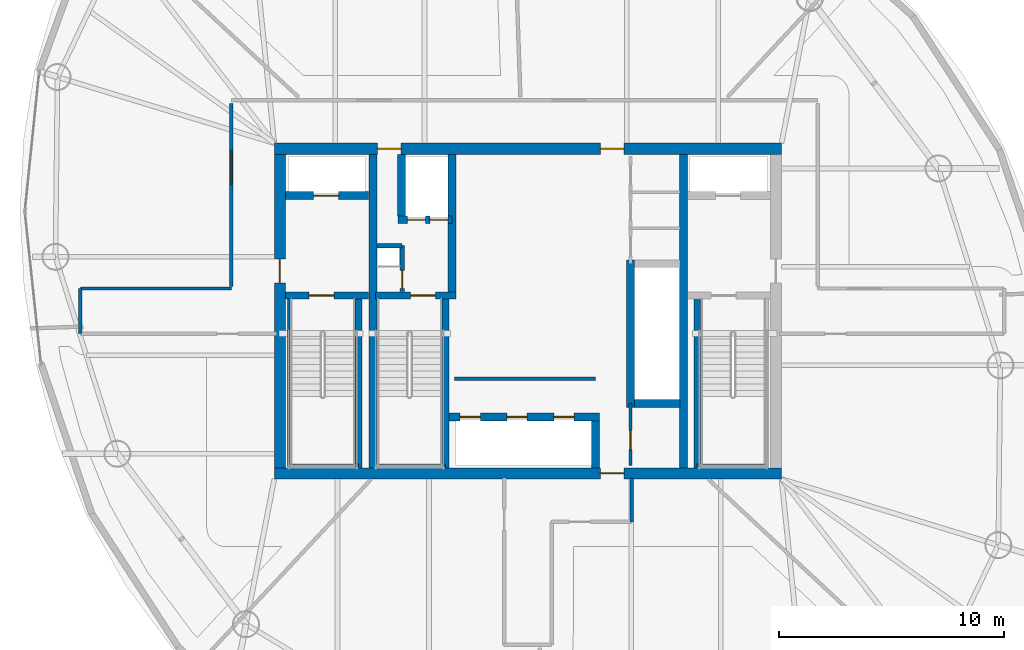
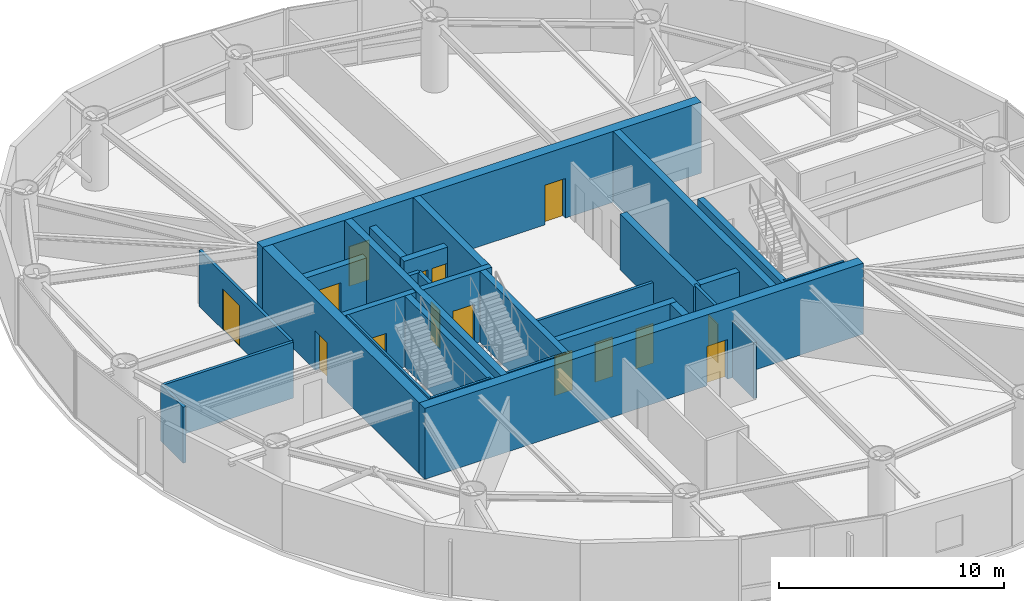
# One storey, part 15 of 20: 30 walls, 15 doors, 15 openings.
"""IFC4 building model written with IfcOpenShell, lengths in metres."""

from ifc_helpers import new_model, si_unit, direction, frame, frame_2d, origin, place, context, subcontext, project, spatial, rectangle, extrude, material, layer, layer_set, type_object, element, fill, save


model = new_model("IFC4")

# Units and contexts
model_context = context("Model", 3, precision=1e-05, world=origin(), true_north=direction((0.0, 1.0)))
body_context = subcontext(model_context, "Body", "Model", "MODEL_VIEW")
ifc_project = project(units=[si_unit("LENGTHUNIT", "METRE"), si_unit("AREAUNIT", "SQUARE_METRE"), si_unit("VOLUMEUNIT", "CUBIC_METRE"), si_unit("PLANEANGLEUNIT", "RADIAN"), si_unit("MASSUNIT", "GRAM", prefix="KILO")], contexts=[model_context])

# Site, building, storey
site_placement = place(None, origin())
site = spatial("IfcSite", under=ifc_project, at=site_placement, CompositionType="ELEMENT")
building_placement = place(site_placement, origin())
building = spatial("IfcBuilding", under=site, at=building_placement, Name="Bramvorn Convention Spire", CompositionType="ELEMENT")
storey_placement = place(building_placement, frame((0.0, 0.0, 228.949951171875)))
storey = spatial("IfcBuildingStorey", under=building, at=storey_placement, Name="L58", CompositionType="ELEMENT", Elevation=228.949951171875)

# Wall, opening, door
ifc_material_1 = material(Name="Concrete C50/60", Category="concrete")
ifc_layer_1 = layer(ifc_material_1, 0.5)
ifc_layer_set_1 = layer_set([ifc_layer_1], Name="Concrete C50/60 - WL-CORE-500")
wall_type_1 = type_object("IfcWallType", Name="WL-CORE-500", PredefinedType="SHEAR", material=ifc_layer_set_1)
wall_1_placement = place(storey_placement, frame((26.75, 18.800048828125, 0.0), z_axis=(0.0, 0.0, 1.0), x_axis=(1.0, 0.0, 0.0)))
wall_1 = element("IfcWall", 1, at=wall_1_placement, inside=storey, type_object=wall_type_1, Name="L58 South RC core shear wall", PredefinedType="SHEAR", context=body_context, shape_type="SweptSolid", body=[
    extrude(rectangle(XDim=22.5, YDim=0.5, at=frame_2d((11.25, 0.0))), origin(), (0.0, 0.0, 1.0), 3.85009765625),
])
opening_1_placement = place(wall_1_placement, frame((14.469970703125, 0.0, 0.0)))
opening_1 = element("IfcOpeningElement", 2, at=opening_1_placement, cuts=wall_1, Name="Opening DL-105", PredefinedType="OPENING", context=body_context, shape_type="SweptSolid", body=[
    extrude(rectangle(XDim=1.050048828125, YDim=2.14990234375, at=frame_2d((0.52490234375, 1.074951171875))), frame((0.0, 0.260009765625, 0.0), z_axis=(0.0, -1.0, 0.0), x_axis=(1.0, 0.0, 0.0)), (0.0, 0.0, 1.0), 0.52001953125),
])
ifc_material_2 = material(Name="Smoke-Sealed Fire Lobby Timber-Core Door", Category="wood")
door_type_1 = type_object("IfcDoorType", Name="DR-LOBBY-1050", OperationType="NOTDEFINED", PredefinedType="DOOR", material=ifc_material_2)
door_1_placement = place(opening_1_placement, origin())
door_1 = element("IfcDoor", 3, at=door_1_placement, inside=storey, type_object=door_type_1, Name="L58 South Lift Lobby fire door", OperationType="SINGLE_SWING_RIGHT", OverallHeight=2.14990234375, OverallWidth=1.050048828125, PredefinedType="DOOR", context=body_context, shape_type="SweptSolid", body=[
    extrude(rectangle(XDim=1.050048828125, YDim=2.14990234375, at=frame_2d((0.52490234375, 1.074951171875))), frame((0.0, 0.02490234375, 0.0), z_axis=(0.0, -1.0, 0.0), x_axis=(1.0, 0.0, 0.0)), (0.0, 0.0, 1.0), 0.050048828125),
])
fill(opening_1, door_1)

# Wall, openings, doors
wall_2_placement = place(storey_placement, frame((26.75, 33.199951171875, 0.0), z_axis=(0.0, 0.0, 1.0), x_axis=(1.0, 0.0, 0.0)))
wall_2 = element("IfcWall", 4, at=wall_2_placement, inside=storey, type_object=wall_type_1, Name="L58 North RC core shear wall", PredefinedType="SHEAR", context=body_context, shape_type="SweptSolid", body=[
    extrude(rectangle(XDim=22.5, YDim=0.5, at=frame_2d((11.25, 0.0))), origin(), (0.0, 0.0, 1.0), 3.85009765625),
])
opening_2_placement = place(wall_2_placement, frame((4.570068359375, 0.0, 0.0)))
opening_2 = element("IfcOpeningElement", 5, at=opening_2_placement, cuts=wall_2, Name="Opening DL-105", PredefinedType="OPENING", context=body_context, shape_type="SweptSolid", body=[
    extrude(rectangle(XDim=1.050048828125, YDim=2.14990234375, at=frame_2d((0.52490234375, 1.074951171875))), frame((0.0, 0.260009765625, 0.0), z_axis=(0.0, -1.0, 0.0), x_axis=(1.0, 0.0, 0.0)), (0.0, 0.0, 1.0), 0.52001953125),
])
opening_3_placement = place(wall_2_placement, frame((14.469970703125, 0.0, 0.0)))
opening_3 = element("IfcOpeningElement", 6, at=opening_3_placement, cuts=wall_2, Name="Opening DL-105", PredefinedType="OPENING", context=body_context, shape_type="SweptSolid", body=[
    extrude(rectangle(XDim=1.050048828125, YDim=2.14990234375, at=frame_2d((0.52490234375, 1.074951171875))), frame((0.0, 0.260009765625, 0.0), z_axis=(0.0, -1.0, 0.0), x_axis=(1.0, 0.0, 0.0)), (0.0, 0.0, 1.0), 0.52001953125),
])
door_2_placement = place(opening_2_placement, origin())
door_2 = element("IfcDoor", 7, at=door_2_placement, inside=storey, type_object=door_type_1, Name="L58 Service & Stair ST3 Lobby north corridor door", OperationType="SINGLE_SWING_LEFT", OverallHeight=2.14990234375, OverallWidth=1.050048828125, PredefinedType="DOOR", context=body_context, shape_type="SweptSolid", body=[
    extrude(rectangle(XDim=1.050048828125, YDim=2.14990234375, at=frame_2d((0.52490234375, 1.074951171875))), frame((0.0, 0.02490234375, 0.0), z_axis=(0.0, -1.0, 0.0), x_axis=(1.0, 0.0, 0.0)), (0.0, 0.0, 1.0), 0.050048828125),
])
fill(opening_2, door_2)
door_3_placement = place(opening_3_placement, origin())
door_3 = element("IfcDoor", 8, at=door_3_placement, inside=storey, type_object=door_type_1, Name="L58 North Lift Lobby fire door", OperationType="SINGLE_SWING_LEFT", OverallHeight=2.14990234375, OverallWidth=1.050048828125, PredefinedType="DOOR", context=body_context, shape_type="SweptSolid", body=[
    extrude(rectangle(XDim=1.050048828125, YDim=2.14990234375, at=frame_2d((0.52490234375, 1.074951171875))), frame((0.0, 0.02490234375, 0.0), z_axis=(0.0, -1.0, 0.0), x_axis=(1.0, 0.0, 0.0)), (0.0, 0.0, 1.0), 0.050048828125),
])
fill(opening_3, door_3)

# Wall, opening, door
wall_3_placement = place(storey_placement, frame((27.0, 19.050048828125, 0.0), z_axis=(0.0, 0.0, 1.0), x_axis=(0.0, 1.0, 0.0)))
wall_3 = element("IfcWall", 9, at=wall_3_placement, inside=storey, type_object=wall_type_1, Name="L58 West RC core shear wall", PredefinedType="SHEAR", context=body_context, shape_type="SweptSolid", body=[
    extrude(rectangle(XDim=13.89990234375, YDim=0.5, at=frame_2d((6.949951171875, 0.0))), origin(), (0.0, 0.0, 1.0), 3.85009765625),
])
opening_4_placement = place(wall_3_placement, frame((8.199951171875, 0.0, 0.0)))
opening_4 = element("IfcOpeningElement", 10, at=opening_4_placement, cuts=wall_3, Name="Opening DL-105", PredefinedType="OPENING", context=body_context, shape_type="SweptSolid", body=[
    extrude(rectangle(XDim=1.050048828125, YDim=2.14990234375, at=frame_2d((0.52490234375, 1.074951171875))), frame((0.0, 0.260009765625, 0.0), z_axis=(0.0, -1.0, 0.0), x_axis=(1.0, 0.0, 0.0)), (0.0, 0.0, 1.0), 0.52001953125),
])
door_4_placement = place(opening_4_placement, origin())
door_4 = element("IfcDoor", 11, at=door_4_placement, inside=storey, type_object=door_type_1, Name="L58 West Firefighting Lobby corridor door", OperationType="SINGLE_SWING_RIGHT", OverallHeight=2.14990234375, OverallWidth=1.050048828125, PredefinedType="DOOR", context=body_context, shape_type="SweptSolid", body=[
    extrude(rectangle(XDim=1.050048828125, YDim=2.14990234375, at=frame_2d((0.52490234375, 1.074951171875))), frame((0.0, 0.02490234375, 0.0), z_axis=(0.0, -1.0, 0.0), x_axis=(1.0, 0.0, 0.0)), (0.0, 0.0, 1.0), 0.050048828125),
])
fill(opening_4, door_4)

# Walls
ifc_layer_2 = layer(ifc_material_1, 0.35009765625)
ifc_layer_set_2 = layer_set([ifc_layer_2], Name="Concrete C50/60 - WL-CORE-INT-350")
wall_type_2 = type_object("IfcWallType", Name="WL-CORE-INT-350", PredefinedType="SHEAR", material=ifc_layer_set_2)
for number, where, z_axis, x_axis, name in (
    (12, (31.1298828125, 19.050048828125, 0.0), (0.0, 0.0, 1.0), (0.0, 1.0, 0.0), "L58 West internal core shear web"),
    (13, (44.89990234375, 19.050048828125, 0.0), (0.0, 0.0, 1.0), (0.0, 1.0, 0.0), "L58 East internal core shear web"),
):
    element("IfcWall", number, at=place(storey_placement, frame(where, z_axis=z_axis, x_axis=x_axis)), inside=storey, type_object=wall_type_2, Name=name, PredefinedType="SHEAR", context=body_context, shape_type="SweptSolid", body=[
        extrude(rectangle(XDim=13.89990234375, YDim=0.35009765625, at=frame_2d((6.949951171875, 0.0))), origin(), (0.0, 0.0, 1.0), 3.85009765625),
    ])

# Wall, opening, door
wall_4_placement = place(storey_placement, frame((27.25, 31.1201171875, 0.0), z_axis=(0.0, 0.0, 1.0), x_axis=(1.0, 0.0, 0.0)))
wall_4 = element("IfcWall", 14, at=wall_4_placement, inside=storey, type_object=wall_type_2, Name="L58 FE1 shaft front wall", PredefinedType="SHEAR", context=body_context, shape_type="SweptSolid", body=[
    extrude(rectangle(XDim=3.669921875, YDim=0.35009765625, at=frame_2d((1.8349609375, 0.0))), origin(), (0.0, 0.0, 1.0), 3.03515625),
])
opening_5_placement = place(wall_4_placement, frame((1.25, 0.0, 0.0)))
opening_5 = element("IfcOpeningElement", 15, at=opening_5_placement, cuts=wall_4, Name="Opening LD-110", PredefinedType="OPENING", context=body_context, shape_type="SweptSolid", body=[
    extrude(rectangle(XDim=1.10009765625, YDim=2.14990234375, at=frame_2d((0.550048828125, 1.074951171875))), frame((0.0, 0.18505859375, 0.0), z_axis=(0.0, -1.0, 0.0), x_axis=(1.0, 0.0, 0.0)), (0.0, 0.0, 1.0), 0.3701171875),
])
ifc_material_3 = material(Name="Firefighting & Service Lift Sliding Landing Door", Category="steel")
door_type_2 = type_object("IfcDoorType", Name="DR-LIFT-LD-1100", OperationType="NOTDEFINED", PredefinedType="DOOR", material=ifc_material_3)
door_5_placement = place(opening_5_placement, origin())
door_5 = element("IfcDoor", 16, at=door_5_placement, inside=storey, type_object=door_type_2, Name="L58 Lift FE1 Sliding Landing Door", OperationType="SLIDING_TO_LEFT", OverallHeight=2.14990234375, OverallWidth=1.10009765625, PredefinedType="DOOR", context=body_context, shape_type="SweptSolid", body=[
    extrude(rectangle(XDim=1.10009765625, YDim=2.14990234375, at=frame_2d((0.550048828125, 1.074951171875))), frame((0.0, 0.02490234375, 0.0), z_axis=(0.0, -1.0, 0.0), x_axis=(1.0, 0.0, 0.0)), (0.0, 0.0, 1.0), 0.050048828125),
])
fill(opening_5, door_5)

# Wall
wall_5_placement = place(storey_placement, frame((34.639892578125, 26.68994140625, 0.0), z_axis=(0.0, 0.0, 1.0), x_axis=(0.0, 1.0, 0.0)))
element("IfcWall", 17, at=wall_5_placement, inside=storey, type_object=wall_type_2, Name="L58 SV east core shaft wall", PredefinedType="SHEAR", context=body_context, shape_type="SweptSolid", body=[
    extrude(rectangle(XDim=6.260009765625, YDim=0.35009765625, at=frame_2d((3.1298828125, 0.0))), origin(), (0.0, 0.0, 1.0), 3.85009765625),
])

# Wall, openings, doors
wall_6_placement = place(storey_placement, frame((32.22998046875, 30.050048828125, 0.0), z_axis=(0.0, 0.0, 1.0), x_axis=(1.0, 0.0, 0.0)))
wall_6 = element("IfcWall", 18, at=wall_6_placement, inside=storey, type_object=wall_type_2, Name="L58 SV1/SV2 shaft front wall", PredefinedType="SHEAR", context=body_context, shape_type="SweptSolid", body=[
    extrude(rectangle(XDim=2.409912109375, YDim=0.35009765625, at=frame_2d((1.205078125, 0.0))), origin(), (0.0, 0.0, 1.0), 3.03515625),
])
opening_6_placement = place(wall_6_placement, frame((0.419921875, 0.0, 0.0)))
opening_6 = element("IfcOpeningElement", 19, at=opening_6_placement, cuts=wall_6, Name="Opening LD-080", PredefinedType="OPENING", context=body_context, shape_type="SweptSolid", body=[
    extrude(rectangle(XDim=0.800048828125, YDim=2.14990234375, at=frame_2d((0.39990234375, 1.074951171875))), frame((0.0, 0.18505859375, 0.0), z_axis=(0.0, -1.0, 0.0), x_axis=(1.0, 0.0, 0.0)), (0.0, 0.0, 1.0), 0.3701171875),
])
opening_7_placement = place(wall_6_placement, frame((1.419921875, 0.0, 0.0)))
opening_7 = element("IfcOpeningElement", 20, at=opening_7_placement, cuts=wall_6, Name="Opening LD-080", PredefinedType="OPENING", context=body_context, shape_type="SweptSolid", body=[
    extrude(rectangle(XDim=0.800048828125, YDim=2.14990234375, at=frame_2d((0.39990234375, 1.074951171875))), frame((0.0, 0.18505859375, 0.0), z_axis=(0.0, -1.0, 0.0), x_axis=(1.0, 0.0, 0.0)), (0.0, 0.0, 1.0), 0.3701171875),
])
ifc_material_4 = material(Name="Service Lift Bi-Parting Landing Door", Category="steel")
door_type_3 = type_object("IfcDoorType", Name="DR-LIFT-LD-800", OperationType="NOTDEFINED", PredefinedType="DOOR", material=ifc_material_4)
door_6_placement = place(opening_6_placement, origin())
door_6 = element("IfcDoor", 21, at=door_6_placement, inside=storey, type_object=door_type_3, Name="L58 Lift SV1 Sliding Landing Door", OperationType="SLIDING_TO_LEFT", OverallHeight=2.14990234375, OverallWidth=0.800048828125, PredefinedType="DOOR", context=body_context, shape_type="SweptSolid", body=[
    extrude(rectangle(XDim=0.800048828125, YDim=2.14990234375, at=frame_2d((0.39990234375, 1.074951171875))), frame((0.0, 0.02490234375, 0.0), z_axis=(0.0, -1.0, 0.0), x_axis=(1.0, 0.0, 0.0)), (0.0, 0.0, 1.0), 0.050048828125),
])
fill(opening_6, door_6)
door_7_placement = place(opening_7_placement, origin())
door_7 = element("IfcDoor", 22, at=door_7_placement, inside=storey, type_object=door_type_3, Name="L58 Lift SV2 Sliding Landing Door", OperationType="SLIDING_TO_LEFT", OverallHeight=2.14990234375, OverallWidth=0.800048828125, PredefinedType="DOOR", context=body_context, shape_type="SweptSolid", body=[
    extrude(rectangle(XDim=0.800048828125, YDim=2.14990234375, at=frame_2d((0.39990234375, 1.074951171875))), frame((0.0, 0.02490234375, 0.0), z_axis=(0.0, -1.0, 0.0), x_axis=(1.0, 0.0, 0.0)), (0.0, 0.0, 1.0), 0.050048828125),
])
fill(opening_7, door_7)

# Walls
wall_7_placement = place(storey_placement, frame((32.39990234375, 30.219970703125, 0.0), z_axis=(0.0, 0.0, 1.0), x_axis=(0.0, 1.0, 0.0)))
element("IfcWall", 23, at=wall_7_placement, inside=storey, type_object=wall_type_2, Name="L58 SV1 west hoistway wall", PredefinedType="SHEAR", context=body_context, shape_type="SweptSolid", body=[
    extrude(rectangle(XDim=2.72998046875, YDim=0.35009765625, at=frame_2d((1.364990234375, 0.0))), origin(), (0.0, 0.0, 1.0), 3.03515625),
])
wall_8_placement = place(storey_placement, frame((42.550048828125, 21.72998046875, 0.0), z_axis=(0.0, 0.0, 1.0), x_axis=(0.0, 1.0, 0.0)))
element("IfcWall", 24, at=wall_8_placement, inside=storey, type_object=wall_type_2, Name="L58 High-rise lift bank west wall", PredefinedType="SHEAR", context=body_context, shape_type="SweptSolid", body=[
    extrude(rectangle(XDim=6.5400390625, YDim=0.35009765625, at=frame_2d((3.27001953125, 0.0))), origin(), (0.0, 0.0, 1.0), 3.03515625),
])
wall_9_placement = place(storey_placement, frame((42.719970703125, 21.89990234375, 0.0), z_axis=(0.0, 0.0, 1.0), x_axis=(1.0, 0.0, 0.0)))
element("IfcWall", 25, at=wall_9_placement, inside=storey, type_object=wall_type_2, Name="L58 High-rise lift bank south wall", PredefinedType="SHEAR", context=body_context, shape_type="SweptSolid", body=[
    extrude(rectangle(XDim=2.030029296875, YDim=0.35009765625, at=frame_2d((1.01513671875, 0.0))), origin(), (0.0, 0.0, 1.0), 3.03515625),
])

# Wall, openings, doors
wall_10_placement = place(storey_placement, frame((34.489990234375, 21.300048828125, 0.0), z_axis=(0.0, 0.0, 1.0), x_axis=(1.0, 0.0, 0.0)))
wall_10 = element("IfcWall", 26, at=wall_10_placement, inside=storey, type_object=wall_type_2, Name="L58 Mid-rise bank north landing wall", PredefinedType="SHEAR", context=body_context, shape_type="SweptSolid", body=[
    extrude(rectangle(XDim=6.679931640625, YDim=0.35009765625, at=frame_2d((3.33984375, 0.0))), origin(), (0.0, 0.0, 1.0), 3.03515625),
])
opening_8_placement = place(wall_10_placement, frame((0.5, 0.0, 0.0)))
opening_8 = element("IfcOpeningElement", 27, at=opening_8_placement, cuts=wall_10, Name="Opening LD-090", PredefinedType="OPENING", context=body_context, shape_type="SweptSolid", body=[
    extrude(rectangle(XDim=0.89990234375, YDim=2.14990234375, at=frame_2d((0.449951171875, 1.074951171875))), frame((0.0, 0.18505859375, 0.0), z_axis=(0.0, -1.0, 0.0), x_axis=(1.0, 0.0, 0.0)), (0.0, 0.0, 1.0), 0.3701171875),
])
opening_9_placement = place(wall_10_placement, frame((2.580078125, 0.0, 0.0)))
opening_9 = element("IfcOpeningElement", 28, at=opening_9_placement, cuts=wall_10, Name="Opening LD-090", PredefinedType="OPENING", context=body_context, shape_type="SweptSolid", body=[
    extrude(rectangle(XDim=0.89990234375, YDim=2.14990234375, at=frame_2d((0.449951171875, 1.074951171875))), frame((0.0, 0.18505859375, 0.0), z_axis=(0.0, -1.0, 0.0), x_axis=(1.0, 0.0, 0.0)), (0.0, 0.0, 1.0), 0.3701171875),
])
opening_10_placement = place(wall_10_placement, frame((4.659912109375, 0.0, 0.0)))
opening_10 = element("IfcOpeningElement", 29, at=opening_10_placement, cuts=wall_10, Name="Opening LD-090", PredefinedType="OPENING", context=body_context, shape_type="SweptSolid", body=[
    extrude(rectangle(XDim=0.89990234375, YDim=2.14990234375, at=frame_2d((0.449951171875, 1.074951171875))), frame((0.0, 0.18505859375, 0.0), z_axis=(0.0, -1.0, 0.0), x_axis=(1.0, 0.0, 0.0)), (0.0, 0.0, 1.0), 0.3701171875),
])
ifc_material_5 = material(Name="Bi-Parting Fire-Rated Lift Landing Door", Category="steel")
door_type_4 = type_object("IfcDoorType", Name="DR-LIFT-LD-900", OperationType="NOTDEFINED", PredefinedType="DOOR", material=ifc_material_5)
door_8_placement = place(opening_8_placement, origin())
door_8 = element("IfcDoor", 30, at=door_8_placement, inside=storey, type_object=door_type_4, Name="L58 Lift PM1 Sliding Landing Door", OperationType="SLIDING_TO_LEFT", OverallHeight=2.14990234375, OverallWidth=0.89990234375, PredefinedType="DOOR", context=body_context, shape_type="SweptSolid", body=[
    extrude(rectangle(XDim=0.89990234375, YDim=2.14990234375, at=frame_2d((0.449951171875, 1.074951171875))), frame((0.0, 0.02490234375, 0.0), z_axis=(0.0, -1.0, 0.0), x_axis=(1.0, 0.0, 0.0)), (0.0, 0.0, 1.0), 0.050048828125),
])
fill(opening_8, door_8)
door_9_placement = place(opening_9_placement, origin())
door_9 = element("IfcDoor", 31, at=door_9_placement, inside=storey, type_object=door_type_4, Name="L58 Lift PM2 Sliding Landing Door", OperationType="SLIDING_TO_LEFT", OverallHeight=2.14990234375, OverallWidth=0.89990234375, PredefinedType="DOOR", context=body_context, shape_type="SweptSolid", body=[
    extrude(rectangle(XDim=0.89990234375, YDim=2.14990234375, at=frame_2d((0.449951171875, 1.074951171875))), frame((0.0, 0.02490234375, 0.0), z_axis=(0.0, -1.0, 0.0), x_axis=(1.0, 0.0, 0.0)), (0.0, 0.0, 1.0), 0.050048828125),
])
fill(opening_9, door_9)
door_10_placement = place(opening_10_placement, origin())
door_10 = element("IfcDoor", 32, at=door_10_placement, inside=storey, type_object=door_type_4, Name="L58 Lift PM3 Sliding Landing Door", OperationType="SLIDING_TO_LEFT", OverallHeight=2.14990234375, OverallWidth=0.89990234375, PredefinedType="DOOR", context=body_context, shape_type="SweptSolid", body=[
    extrude(rectangle(XDim=0.89990234375, YDim=2.14990234375, at=frame_2d((0.449951171875, 1.074951171875))), frame((0.0, 0.02490234375, 0.0), z_axis=(0.0, -1.0, 0.0), x_axis=(1.0, 0.0, 0.0)), (0.0, 0.0, 1.0), 0.050048828125),
])
fill(opening_10, door_10)

# Walls
wall_11_placement = place(storey_placement, frame((41.0, 19.050048828125, 0.0), z_axis=(0.0, 0.0, 1.0), x_axis=(0.0, 1.0, 0.0)))
element("IfcWall", 33, at=wall_11_placement, inside=storey, type_object=wall_type_2, Name="L58 Mid-rise bank east cheek wall", PredefinedType="SHEAR", context=body_context, shape_type="SweptSolid", body=[
    extrude(rectangle(XDim=2.079833984375, YDim=0.35009765625, at=frame_2d((1.0400390625, 0.0))), origin(), (0.0, 0.0, 1.0), 3.03515625),
])
ifc_material_6 = material(Name="Acoustic Metal-Stud Tenant/Corridor Partition", Category="gypsum")
ifc_layer_3 = layer(ifc_material_6, 0.14990234375)
ifc_layer_set_3 = layer_set([ifc_layer_3], Name="Acoustic Metal-Stud Tenant/Corridor Partition - WL-PART-150")
wall_type_3 = type_object("IfcWallType", Name="WL-PART-150", PredefinedType="PARTITIONING", material=ifc_layer_set_3)
wall_12_placement = place(storey_placement, frame((34.75, 23.0, 0.0), z_axis=(0.0, 0.0, 1.0), x_axis=(1.0, 0.0, 0.0)))
element("IfcWall", 34, at=wall_12_placement, inside=storey, type_object=wall_type_3, Name="L58 Mid-rise lift vestibule north wall", PredefinedType="PARTITIONING", context=body_context, shape_type="SweptSolid", body=[
    extrude(rectangle(XDim=6.25, YDim=0.14990234375, at=frame_2d((3.125, 0.0))), origin(), (0.0, 0.0, 1.0), 3.03515625),
])

# Wall, opening, door
wall_13_placement = place(storey_placement, frame((42.550048828125, 19.14990234375, 0.0), z_axis=(0.0, 0.0, 1.0), x_axis=(0.0, 1.0, 0.0)))
wall_13 = element("IfcWall", 35, at=wall_13_placement, inside=storey, type_object=wall_type_3, Name="L58 KC SE wall", PredefinedType="PARTITIONING", context=body_context, shape_type="SweptSolid", body=[
    extrude(rectangle(XDim=2.75, YDim=0.14990234375, at=frame_2d((1.375, 0.0))), origin(), (0.0, 0.0, 1.0), 3.03515625),
])
opening_11_placement = place(wall_13_placement, frame((0.699951171875, 0.0, 0.0)))
opening_11 = element("IfcOpeningElement", 36, at=opening_11_placement, cuts=wall_13, Name="Opening DC-085", PredefinedType="OPENING", context=body_context, shape_type="SweptSolid", body=[
    extrude(rectangle(XDim=0.85009765625, YDim=2.10009765625, at=frame_2d((0.425048828125, 1.050048828125))), frame((0.0, 0.0849609375, 0.0), z_axis=(0.0, -1.0, 0.0), x_axis=(1.0, 0.0, 0.0)), (0.0, 0.0, 1.0), 0.169921875),
])
ifc_material_7 = material(Name="Fire-Rated Core Washroom & IDF Door", Category="wood")
door_type_5 = type_object("IfcDoorType", Name="DR-CORE-850", OperationType="NOTDEFINED", PredefinedType="DOOR", material=ifc_material_7)
door_11_placement = place(opening_11_placement, origin())
door_11 = element("IfcDoor", 37, at=door_11_placement, inside=storey, type_object=door_type_5, Name="L58 Core Valve & Riser Room door", OperationType="SINGLE_SWING_LEFT", OverallHeight=2.10009765625, OverallWidth=0.85009765625, PredefinedType="DOOR", context=body_context, shape_type="SweptSolid", body=[
    extrude(rectangle(XDim=0.85009765625, YDim=2.10009765625, at=frame_2d((0.425048828125, 1.050048828125))), frame((0.0, 0.02490234375, 0.0), z_axis=(0.0, -1.0, 0.0), x_axis=(1.0, 0.0, 0.0)), (0.0, 0.0, 1.0), 0.050048828125),
])
fill(opening_11, door_11)

wall_14_placement = place(storey_placement, frame((24.85009765625, 27.080078125, 0.0), z_axis=(0.0, 0.0, 1.0), x_axis=(0.0, 1.0, 0.0)))
wall_14 = element("IfcWall", 38, at=wall_14_placement, inside=storey, type_object=wall_type_3, Name="L58 NW gallery cheek", PredefinedType="PARTITIONING", context=body_context, shape_type="SweptSolid", body=[
    extrude(rectangle(XDim=8.119873046875, YDim=0.14990234375, at=frame_2d((4.06005859375, 0.0))), origin(), (0.0, 0.0, 1.0), 3.03515625),
])
opening_12_placement = place(wall_14_placement, frame((4.528076171875, 0.0, 0.0)))
opening_12 = element("IfcOpeningElement", 39, at=opening_12_placement, cuts=wall_14, Name="Opening DC-150", PredefinedType="OPENING", context=body_context, shape_type="SweptSolid", body=[
    extrude(rectangle(XDim=1.5, YDim=2.199951171875, at=frame_2d((0.75, 1.10009765625))), frame((0.0, 0.0849609375, 0.0), z_axis=(0.0, -1.0, 0.0), x_axis=(1.0, 0.0, 0.0)), (0.0, 0.0, 1.0), 0.169921875),
])
ifc_material_8 = material(Name="Double-Leaf Smoke-Control Corridor Door", Category="wood")
door_type_6 = type_object("IfcDoorType", Name="DR-COR-1500", OperationType="NOTDEFINED", PredefinedType="DOOR", material=ifc_material_8)
door_12_placement = place(opening_12_placement, origin())
door_12 = element("IfcDoor", 40, at=door_12_placement, inside=storey, type_object=door_type_6, Name="L58 Trader Dining Cafe 2 4 door", OperationType="DOUBLE_DOOR_SINGLE_SWING", OverallHeight=2.199951171875, OverallWidth=1.5, PredefinedType="DOOR", context=body_context, shape_type="SweptSolid", body=[
    extrude(rectangle(XDim=1.5, YDim=2.199951171875, at=frame_2d((0.75, 1.10009765625))), frame((0.0, 0.02490234375, 0.0), z_axis=(0.0, -1.0, 0.0), x_axis=(1.0, 0.0, 0.0)), (0.0, 0.0, 1.0), 0.050048828125),
])
fill(opening_12, door_12)

# Walls
wall_15_placement = place(storey_placement, frame((18.150634765625, 27.0, 0.0), z_axis=(0.0, 0.0, 1.0), x_axis=(1.0, 0.0, 0.0)))
element("IfcWall", 41, at=wall_15_placement, inside=storey, type_object=wall_type_3, Name="L58 West wing spine north wall", PredefinedType="PARTITIONING", context=body_context, shape_type="SweptSolid", body=[
    extrude(rectangle(XDim=6.699462890625, YDim=0.14990234375, at=frame_2d((3.349609375, 0.0))), origin(), (0.0, 0.0, 1.0), 3.03515625),
])
wall_16_placement = place(storey_placement, frame((18.150634765625, 25.0, 0.0), z_axis=(0.0, 0.0, 1.0), x_axis=(0.0, 1.0, 0.0)))
element("IfcWall", 42, at=wall_16_placement, inside=storey, type_object=wall_type_3, Name="L58 West wing spine end wall", PredefinedType="PARTITIONING", context=body_context, shape_type="SweptSolid", body=[
    extrude(rectangle(XDim=2.0, YDim=0.14990234375, at=frame_2d((1.0, 0.0))), origin(), (0.0, 0.0, 1.0), 3.03515625),
])
wall_17_placement = place(storey_placement, frame((42.60009765625, 16.64990234375, 0.0), z_axis=(0.0, 0.0, 1.0), x_axis=(0.0, 1.0, 0.0)))
element("IfcWall", 43, at=wall_17_placement, inside=storey, type_object=wall_type_3, Name="L58 South lift lobby east cheek", PredefinedType="PARTITIONING", context=body_context, shape_type="SweptSolid", body=[
    extrude(rectangle(XDim=1.9501953125, YDim=0.14990234375, at=frame_2d((0.97509765625, 0.0))), origin(), (0.0, 0.0, 1.0), 3.03515625),
])

# Wall, opening, door
ifc_material_9 = material(Name="Gypsum Shaftwall & Rockwool Core Partition", Category="gypsum")
ifc_layer_4 = layer(ifc_material_9, 0.199951171875)
ifc_layer_set_4 = layer_set([ifc_layer_4], Name="Gypsum Shaftwall & Rockwool Core Partition - WL-PART-200-FR")
wall_type_4 = type_object("IfcWallType", Name="WL-PART-200-FR", PredefinedType="PARTITIONING", material=ifc_layer_set_4)
wall_18_placement = place(storey_placement, frame((32.419921875, 26.860107421875, 0.0), z_axis=(0.0, 0.0, 1.0), x_axis=(0.0, 1.0, 0.0)))
wall_18 = element("IfcWall", 44, at=wall_18_placement, inside=storey, type_object=wall_type_4, Name="L58 Telecom riser east wall", PredefinedType="PARTITIONING", context=body_context, shape_type="SweptSolid", body=[
    extrude(rectangle(XDim=2.039794921875, YDim=0.199951171875, at=frame_2d((1.02001953125, 0.0))), origin(), (0.0, 0.0, 1.0), 3.03515625),
])
opening_13_placement = place(wall_18_placement, frame((0.139892578125, 0.0, 0.0)))
opening_13 = element("IfcOpeningElement", 45, at=opening_13_placement, cuts=wall_18, Name="Opening DR-080", PredefinedType="OPENING", context=body_context, shape_type="SweptSolid", body=[
    extrude(rectangle(XDim=0.800048828125, YDim=2.050048828125, at=frame_2d((0.39990234375, 1.02490234375))), frame((0.0, 0.10986328125, 0.0), z_axis=(0.0, -1.0, 0.0), x_axis=(1.0, 0.0, 0.0)), (0.0, 0.0, 1.0), 0.219970703125),
])
ifc_material_10 = material(Name="Flush Steel Riser Access Door", Category="steel")
door_type_7 = type_object("IfcDoorType", Name="DR-RISER-800", OperationType="NOTDEFINED", PredefinedType="DOOR", material=ifc_material_10)
door_13_placement = place(opening_13_placement, origin())
door_13 = element("IfcDoor", 46, at=door_13_placement, inside=storey, type_object=door_type_7, Name="L58 Telecom riser access door", OperationType="SINGLE_SWING_RIGHT", OverallHeight=2.050048828125, OverallWidth=0.800048828125, PredefinedType="DOOR", context=body_context, shape_type="SweptSolid", body=[
    extrude(rectangle(XDim=0.800048828125, YDim=2.050048828125, at=frame_2d((0.39990234375, 1.02490234375))), frame((0.0, 0.02490234375, 0.0), z_axis=(0.0, -1.0, 0.0), x_axis=(1.0, 0.0, 0.0)), (0.0, 0.0, 1.0), 0.050048828125),
])
fill(opening_13, door_13)

# Wall
wall_19_placement = place(storey_placement, frame((31.300048828125, 28.89990234375, 0.0), z_axis=(0.0, 0.0, 1.0), x_axis=(1.0, 0.0, 0.0)))
element("IfcWall", 47, at=wall_19_placement, inside=storey, type_object=wall_type_4, Name="L58 Telecom riser north wall", PredefinedType="PARTITIONING", context=body_context, shape_type="SweptSolid", body=[
    extrude(rectangle(XDim=1.119873046875, YDim=0.199951171875, at=frame_2d((0.56005859375, 0.0))), origin(), (0.0, 0.0, 1.0), 3.03515625),
])

# Wall, opening, door
ifc_layer_5 = layer(ifc_material_1, 0.300048828125)
ifc_layer_set_5 = layer_set([ifc_layer_5], Name="Concrete C50/60 - WL-POD-STAIR-300")
wall_type_5 = type_object("IfcWallType", Name="WL-POD-STAIR-300", PredefinedType="SHEAR", material=ifc_layer_set_5)
wall_20_placement = place(storey_placement, frame((27.25, 26.68994140625, 0.0), z_axis=(0.0, 0.0, 1.0), x_axis=(1.0, 0.0, 0.0)))
wall_20 = element("IfcWall", 48, at=wall_20_placement, inside=storey, type_object=wall_type_5, Name="L58 ST1 north fire wall", PredefinedType="SHEAR", context=body_context, shape_type="SweptSolid", body=[
    extrude(rectangle(XDim=3.669921875, YDim=0.300048828125, at=frame_2d((1.8349609375, 0.0))), origin(), (0.0, 0.0, 1.0), 3.85009765625),
])
opening_14_placement = place(wall_20_placement, frame((1.050048828125, 0.0, 0.0)))
opening_14 = element("IfcOpeningElement", 49, at=opening_14_placement, cuts=wall_20, Name="Opening DS-110", PredefinedType="OPENING", context=body_context, shape_type="SweptSolid", body=[
    extrude(rectangle(XDim=1.10009765625, YDim=2.14990234375, at=frame_2d((0.550048828125, 1.074951171875))), frame((0.0, 0.159912109375, 0.0), z_axis=(0.0, -1.0, 0.0), x_axis=(1.0, 0.0, 0.0)), (0.0, 0.0, 1.0), 0.320068359375),
])
ifc_material_11 = material(Name="Fire-Rated Hollow Steel Stairwell Door", Category="steel")
door_type_8 = type_object("IfcDoorType", Name="DR-STAIR-1100", OperationType="NOTDEFINED", PredefinedType="DOOR", material=ifc_material_11)
door_14_placement = place(opening_14_placement, origin())
door_14 = element("IfcDoor", 50, at=door_14_placement, inside=storey, type_object=door_type_8, Name="L58 Stair ST1 fire door", OperationType="SINGLE_SWING_LEFT", OverallHeight=2.14990234375, OverallWidth=1.10009765625, PredefinedType="DOOR", context=body_context, shape_type="SweptSolid", body=[
    extrude(rectangle(XDim=1.10009765625, YDim=2.14990234375, at=frame_2d((0.550048828125, 1.074951171875))), frame((0.0, 0.02490234375, 0.0), z_axis=(0.0, -1.0, 0.0), x_axis=(1.0, 0.0, 0.0)), (0.0, 0.0, 1.0), 0.050048828125),
])
fill(opening_14, door_14)

# Walls
for number, where, z_axis, x_axis, name in (
    (51, (30.489990234375, 19.050048828125, 0.0), (0.0, 0.0, 1.0), (0.0, 1.0, 0.0), "L58 ST1 east bearing wall"),
    (52, (45.510009765625, 19.050048828125, 0.0), (0.0, 0.0, 1.0), (0.0, 1.0, 0.0), "L58 ST2 west bearing wall"),
    (53, (34.340087890625, 19.050048828125, 0.0), (0.0, 0.0, 1.0), (0.0, 1.0, 0.0), "L58 ST3 east bearing wall"),
):
    element("IfcWall", number, at=place(storey_placement, frame(where, z_axis=z_axis, x_axis=x_axis)), inside=storey, type_object=wall_type_5, Name=name, PredefinedType="SHEAR", context=body_context, shape_type="SweptSolid", body=[
        extrude(rectangle(XDim=7.5, YDim=0.300048828125, at=frame_2d((3.75, 0.0))), origin(), (0.0, 0.0, 1.0), 3.85009765625),
    ])

# Wall, opening, door
wall_21_placement = place(storey_placement, frame((31.25, 26.68994140625, 0.0), z_axis=(0.0, 0.0, 1.0), x_axis=(1.0, 0.0, 0.0)))
wall_21 = element("IfcWall", 54, at=wall_21_placement, inside=storey, type_object=wall_type_5, Name="L58 ST3 north lobby wall", PredefinedType="SHEAR", context=body_context, shape_type="SweptSolid", body=[
    extrude(rectangle(XDim=3.56005859375, YDim=0.300048828125, at=frame_2d((1.780029296875, 0.0))), origin(), (0.0, 0.0, 1.0), 3.85009765625),
])
opening_15_placement = place(wall_21_placement, frame((1.550048828125, 0.0, 0.0)))
opening_15 = element("IfcOpeningElement", 55, at=opening_15_placement, cuts=wall_21, Name="Opening DS-110", PredefinedType="OPENING", context=body_context, shape_type="SweptSolid", body=[
    extrude(rectangle(XDim=1.10009765625, YDim=2.14990234375, at=frame_2d((0.550048828125, 1.074951171875))), frame((0.0, 0.159912109375, 0.0), z_axis=(0.0, -1.0, 0.0), x_axis=(1.0, 0.0, 0.0)), (0.0, 0.0, 1.0), 0.320068359375),
])
door_15_placement = place(opening_15_placement, origin())
door_15 = element("IfcDoor", 56, at=door_15_placement, inside=storey, type_object=door_type_8, Name="L58 Stair ST3 fire door", OperationType="SINGLE_SWING_LEFT", OverallHeight=2.14990234375, OverallWidth=1.10009765625, PredefinedType="DOOR", context=body_context, shape_type="SweptSolid", body=[
    extrude(rectangle(XDim=1.10009765625, YDim=2.14990234375, at=frame_2d((0.550048828125, 1.074951171875))), frame((0.0, 0.02490234375, 0.0), z_axis=(0.0, -1.0, 0.0), x_axis=(1.0, 0.0, 0.0)), (0.0, 0.0, 1.0), 0.050048828125),
])
fill(opening_15, door_15)

# Walls
ifc_layer_6 = layer(ifc_material_1, 0.1201171875)
ifc_layer_set_6 = layer_set([ifc_layer_6], Name="Concrete C50/60 - WL-STAIR-RC-120")
wall_type_6 = type_object("IfcWallType", Name="WL-STAIR-RC-120", PredefinedType="SHEAR", material=ifc_layer_set_6)
wall_22_placement = place(storey_placement, frame((27.39501953125, 19.10009765625, 0.0), z_axis=(0.0, 0.0, 1.0), x_axis=(0.0, 1.0, 0.0)))
element("IfcWall", 57, at=wall_22_placement, inside=storey, type_object=wall_type_6, Name="L58 ST1 west bearing shear wall", PredefinedType="SHEAR", context=body_context, shape_type="SweptSolid", body=[
    extrude(rectangle(XDim=7.449951171875, YDim=0.1201171875, at=frame_2d((3.72509765625, 0.0))), origin(), (0.0, 0.0, 1.0), 3.85009765625),
])
for number, where, z_axis, x_axis, name in (
    (58, (27.39501953125, 19.159912109375, 0.0), (0.0, 0.0, 1.0), (1.0, 0.0, 0.0), "L58 ST1 south bearing shear wall"),
    (59, (45.510009765625, 19.159912109375, 0.0), (0.0, 0.0, 1.0), (1.0, 0.0, 0.0), "L58 ST2 south bearing shear wall"),
):
    element("IfcWall", number, at=place(storey_placement, frame(where, z_axis=z_axis, x_axis=x_axis)), inside=storey, type_object=wall_type_6, Name=name, PredefinedType="SHEAR", context=body_context, shape_type="SweptSolid", body=[
        extrude(rectangle(XDim=3.094970703125, YDim=0.1201171875, at=frame_2d((1.54736328125, 0.0))), origin(), (0.0, 0.0, 1.0), 3.85009765625),
    ])
wall_23_placement = place(storey_placement, frame((31.300048828125, 19.159912109375, 0.0), z_axis=(0.0, 0.0, 1.0), x_axis=(1.0, 0.0, 0.0)))
element("IfcWall", 60, at=wall_23_placement, inside=storey, type_object=wall_type_6, Name="L58 ST3 south bearing shear wall", PredefinedType="SHEAR", context=body_context, shape_type="SweptSolid", body=[
    extrude(rectangle(XDim=3.0400390625, YDim=0.1201171875, at=frame_2d((1.52001953125, 0.0))), origin(), (0.0, 0.0, 1.0), 3.85009765625),
])

save(model, "model.ifc")
